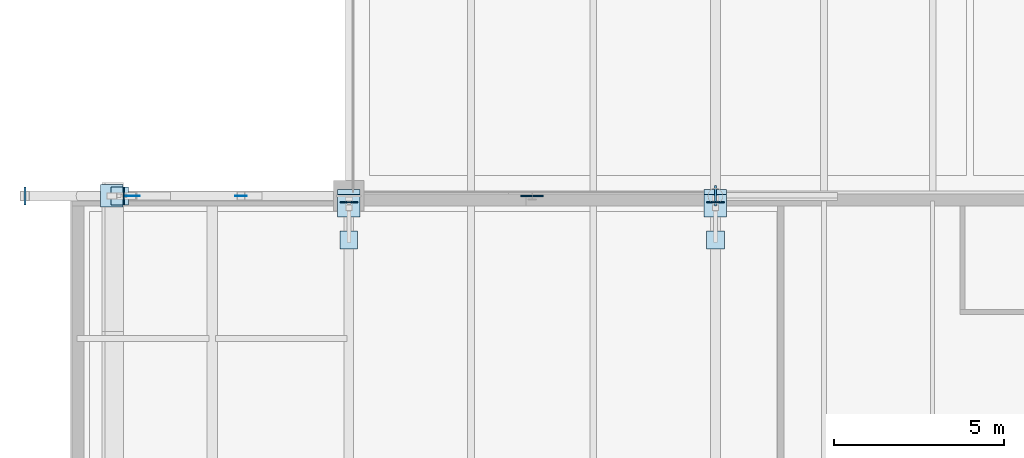
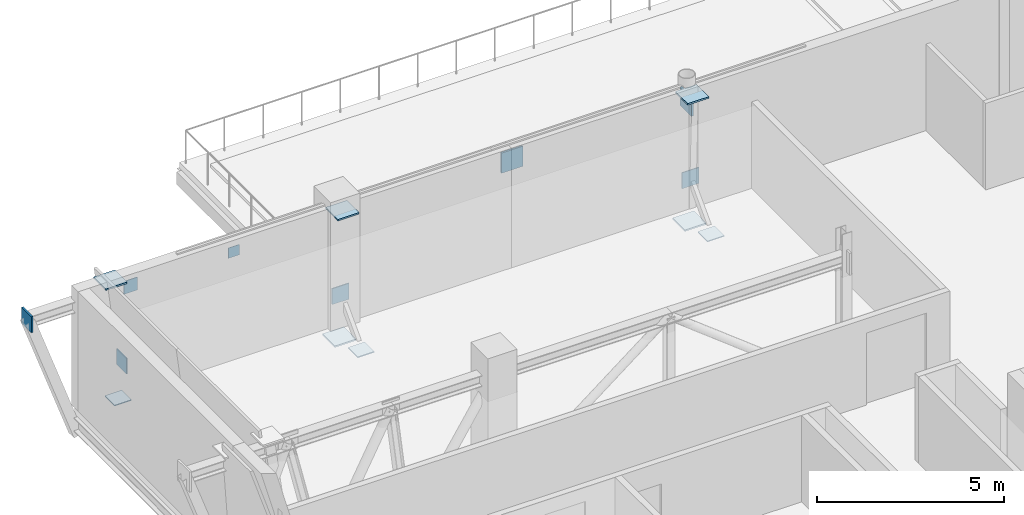
# One storey, part 33 of 57: 16 plates.
"""IFC4 building model written with IfcOpenShell, lengths in metres."""

from ifc_helpers import new_model, si_unit, direction, frame, origin, origin_2d, place, context, subcontext, project, spatial, rectangle, extrude, material, layer, layer_set, type_object, element, save


model = new_model("IFC4")

# Units and contexts
model_context = context("Model", 3, precision=1e-05, world=origin(), true_north=direction((0.0, 1.0)))
body_context = subcontext(model_context, "Body", "Model", "MODEL_VIEW")
ifc_project = project(units=[si_unit("LENGTHUNIT", "METRE"), si_unit("AREAUNIT", "SQUARE_METRE"), si_unit("VOLUMEUNIT", "CUBIC_METRE"), si_unit("PLANEANGLEUNIT", "RADIAN"), si_unit("MASSUNIT", "GRAM", prefix="KILO")], contexts=[model_context])

# Site, building, storey
site_placement = place(None, origin())
site = spatial("IfcSite", under=ifc_project, at=site_placement, CompositionType="ELEMENT")
building_placement = place(site_placement, origin())
building = spatial("IfcBuilding", under=site, at=building_placement, Name="Zereglee Splitstone Museum", CompositionType="ELEMENT")
storey_placement = place(building_placement, frame((0.0, 0.0, 17.10009765625)))
storey = spatial("IfcBuildingStorey", under=building, at=storey_placement, Name="L03", CompositionType="ELEMENT", Elevation=17.10009765625)

# Plates
ifc_material = material(Name="Steel S355J2", Category="steel")
ifc_layer_1 = layer(ifc_material, 0.011962890625)
ifc_layer_set_1 = layer_set([ifc_layer_1], Name="Steel S355J2")
plate_type_1 = type_object("IfcPlateType", Name="NP-06", PredefinedType="SHEET", material=ifc_layer_set_1)
plate_1_placement = place(storey_placement, frame((6.416748046875, 30.0, 3.1298828125), z_axis=(0.0, 0.0, 1.0), x_axis=(1.0, 0.0, 0.0)))
element("IfcPlate", 1, at=plate_1_placement, inside=storey, type_object=plate_type_1, Name="Cantilever Truss Node Plate CN-04", PredefinedType="SHEET", context=body_context, shape_type="SweptSolid", body=[
    extrude(rectangle(XDim=0.340087890625, YDim=0.011962890625, at=origin_2d()), origin(), (0.0, 0.0, 1.0), 0.340087890625),
])
ifc_layer_2 = layer(ifc_material, 0.02001953125)
ifc_layer_set_2 = layer_set([ifc_layer_2], Name="Steel S355J2")
plate_type_2 = type_object("IfcPlateType", Name="NP-05", PredefinedType="SHEET", material=ifc_layer_set_2)
plate_2_placement = place(storey_placement, frame((3.2333984375, 30.0, 3.08984375), z_axis=(0.0, 0.0, 1.0), x_axis=(1.0, 0.0, 0.0)))
element("IfcPlate", 2, at=plate_2_placement, inside=storey, type_object=plate_type_2, Name="Cantilever Truss Node Plate CN-04", PredefinedType="SHEET", context=body_context, shape_type="SweptSolid", body=[
    extrude(rectangle(XDim=0.419921875, YDim=0.02001953125, at=origin_2d()), origin(), (0.0, 0.0, 1.0), 0.419921875),
])
ifc_layer_3 = layer(ifc_material, 0.030029296875)
ifc_layer_set_3 = layer_set([ifc_layer_3], Name="Steel S355J2")
plate_type_3 = type_object("IfcPlateType", Name="NP-04", PredefinedType="SHEET", material=ifc_layer_set_3)
plate_3_placement = place(storey_placement, frame((0.050048828125, 30.0, 3.039794921875), z_axis=(0.0, 0.0, 1.0), x_axis=(1.0, 0.0, 0.0)))
element("IfcPlate", 3, at=plate_3_placement, inside=storey, type_object=plate_type_3, Name="Cantilever Truss Node Plate CN-04", PredefinedType="SHEET", context=body_context, shape_type="SweptSolid", body=[
    extrude(rectangle(XDim=0.06005859375, YDim=0.52001953125, at=origin_2d()), origin(), (0.0, 0.0, 1.0), 0.52001953125),
])
plate_4_placement = place(storey_placement, frame((2.85009765625, 30.0, -0.2548828125), z_axis=(0.0, 0.0, 1.0), x_axis=(1.0, 0.0, 0.0)))
element("IfcPlate", 4, at=plate_4_placement, inside=storey, type_object=plate_type_3, Name="Facet Tie Seal Plate FH-V1W-N", PredefinedType="SHEET", context=body_context, shape_type="SweptSolid", body=[
    extrude(rectangle(XDim=0.52001953125, YDim=0.52001953125, at=origin_2d()), origin(), (0.0, 0.0, 1.0), 0.030029296875),
])
plate_5_placement = place(storey_placement, frame((2.96923828125, 30.0, 0.659912109375), z_axis=(0.0, 0.0, 1.0), x_axis=(1.0, 0.0, 0.0)))
element("IfcPlate", 5, at=plate_5_placement, inside=storey, type_object=plate_type_3, Name="Facet Tie Seal Plate FH-V1W-N", PredefinedType="SHEET", context=body_context, shape_type="SweptSolid", body=[
    extrude(rectangle(XDim=0.030029296875, YDim=0.52001953125, at=origin_2d()), origin(), (0.0, 0.0, 1.0), 0.52001953125),
])
plate_6_placement = place(storey_placement, frame((9.60009765625, 28.699951171875, -0.2548828125), z_axis=(0.0, 0.0, 1.0), x_axis=(1.0, 0.0, 0.0)))
element("IfcPlate", 6, at=plate_6_placement, inside=storey, type_object=plate_type_3, Name="Facet Tie Seal Plate FH-V1N-W", PredefinedType="SHEET", context=body_context, shape_type="SweptSolid", body=[
    extrude(rectangle(XDim=0.52001953125, YDim=0.52001953125, at=origin_2d()), origin(), (0.0, 0.0, 1.0), 0.030029296875),
])
plate_7_placement = place(storey_placement, frame((9.60009765625, 29.810546875, 0.659912109375), z_axis=(0.0, 0.0, 1.0), x_axis=(1.0, 0.0, 0.0)))
element("IfcPlate", 7, at=plate_7_placement, inside=storey, type_object=plate_type_3, Name="Facet Tie Seal Plate FH-V1N-W", PredefinedType="SHEET", context=body_context, shape_type="SweptSolid", body=[
    extrude(rectangle(XDim=0.52001953125, YDim=0.030029296875, at=origin_2d()), origin(), (0.0, 0.0, 1.0), 0.52001953125),
])
plate_8_placement = place(storey_placement, frame((20.39990234375, 28.699951171875, -0.2548828125), z_axis=(0.0, 0.0, 1.0), x_axis=(1.0, 0.0, 0.0)))
element("IfcPlate", 8, at=plate_8_placement, inside=storey, type_object=plate_type_3, Name="Facet Tie Seal Plate FH-V1N-W", PredefinedType="SHEET", context=body_context, shape_type="SweptSolid", body=[
    extrude(rectangle(XDim=0.52001953125, YDim=0.52001953125, at=origin_2d()), origin(), (0.0, 0.0, 1.0), 0.030029296875),
])
plate_9_placement = place(storey_placement, frame((20.39990234375, 29.810546875, 0.659912109375), z_axis=(0.0, 0.0, 1.0), x_axis=(1.0, 0.0, 0.0)))
element("IfcPlate", 9, at=plate_9_placement, inside=storey, type_object=plate_type_3, Name="Facet Tie Seal Plate FH-V1N-W", PredefinedType="SHEET", context=body_context, shape_type="SweptSolid", body=[
    extrude(rectangle(XDim=0.52001953125, YDim=0.030029296875, at=origin_2d()), origin(), (0.0, 0.0, 1.0), 0.52001953125),
])
ifc_layer_4 = layer(ifc_material, 0.0400390625)
ifc_layer_set_4 = layer_set([ifc_layer_4], Name="Steel S355J2")
plate_type_4 = type_object("IfcPlateType", Name="NP-03", PredefinedType="SHEET", material=ifc_layer_set_4)
plate_10_placement = place(storey_placement, frame((20.39990234375, 30.0, 2.999755859375), z_axis=(0.0, 0.0, 1.0), x_axis=(1.0, 0.0, 0.0)))
element("IfcPlate", 10, at=plate_10_placement, inside=storey, type_object=plate_type_4, Name="Cantilever Truss Node Plate CN-04", PredefinedType="SHEET", context=body_context, shape_type="SweptSolid", body=[
    extrude(rectangle(XDim=0.06005859375, YDim=0.60009765625, at=origin_2d()), origin(), (0.0, 0.0, 1.0), 0.60009765625),
])
ifc_layer_5 = layer(ifc_material, 0.050048828125)
ifc_layer_set_5 = layer_set([ifc_layer_5], Name="Steel S355J2")
plate_type_5 = type_object("IfcPlateType", Name="NP-02", PredefinedType="SHEET", material=ifc_layer_set_5)
plate_11_placement = place(storey_placement, frame((15.0, 30.0, 2.9697265625), z_axis=(0.0, 0.0, 1.0), x_axis=(1.0, 0.0, 0.0)))
element("IfcPlate", 11, at=plate_11_placement, inside=storey, type_object=plate_type_5, Name="Cantilever Truss Node Plate CN-04", PredefinedType="SHEET", context=body_context, shape_type="SweptSolid", body=[
    extrude(rectangle(XDim=0.659912109375, YDim=0.050048828125, at=origin_2d()), origin(), (0.0, 0.0, 1.0), 0.659912109375),
])
for number, where, z_axis, x_axis, name in (
    (12, (2.610595703125, 30.0, 3.6650390625), (0.0, 0.0, 1.0), (1.0, 0.0, 0.0), "Facet Strut Seal Plate FH-V1W-N"),
    (13, (9.60009765625, 29.864501953125, -0.55517578125), (0.0, 0.0, 1.0), (1.0, 0.0, 0.0), "Facet Strut Seal Plate FH-V1N-W"),
    (14, (9.60009765625, 29.707763671875, 3.6650390625), (0.0, 0.0, 1.0), (1.0, 0.0, 0.0), "Facet Strut Seal Plate FH-V1N-W"),
    (15, (20.39990234375, 29.864501953125, -0.55517578125), (0.0, 0.0, 1.0), (1.0, 0.0, 0.0), "Facet Strut Seal Plate FH-V1N-W"),
    (16, (20.39990234375, 29.707763671875, 3.6650390625), (0.0, 0.0, 1.0), (1.0, 0.0, 0.0), "Facet Strut Seal Plate FH-V1N-W"),
):
    element("IfcPlate", number, at=place(storey_placement, frame(where, z_axis=z_axis, x_axis=x_axis)), inside=storey, type_object=plate_type_5, Name=name, PredefinedType="SHEET", context=body_context, shape_type="SweptSolid", body=[
        extrude(rectangle(XDim=0.659912109375, YDim=0.659912109375, at=origin_2d()), origin(), (0.0, 0.0, 1.0), 0.050048828125),
    ])

save(model, "model.ifc")
